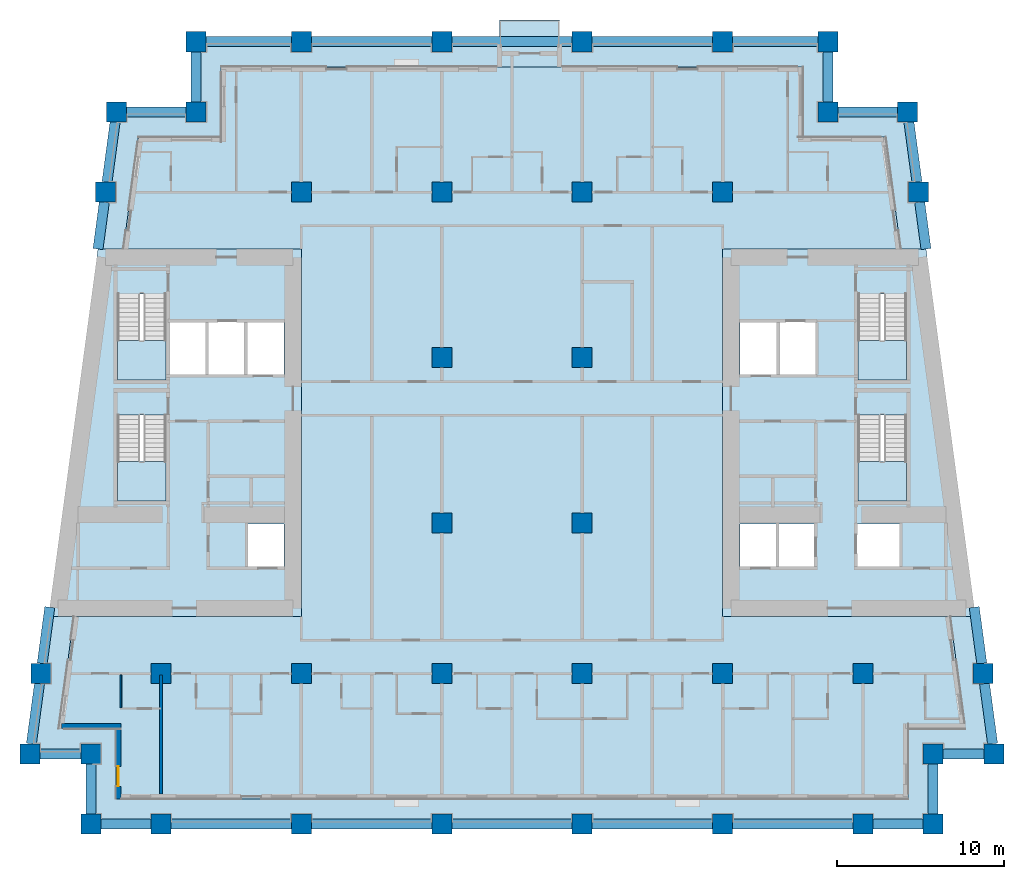
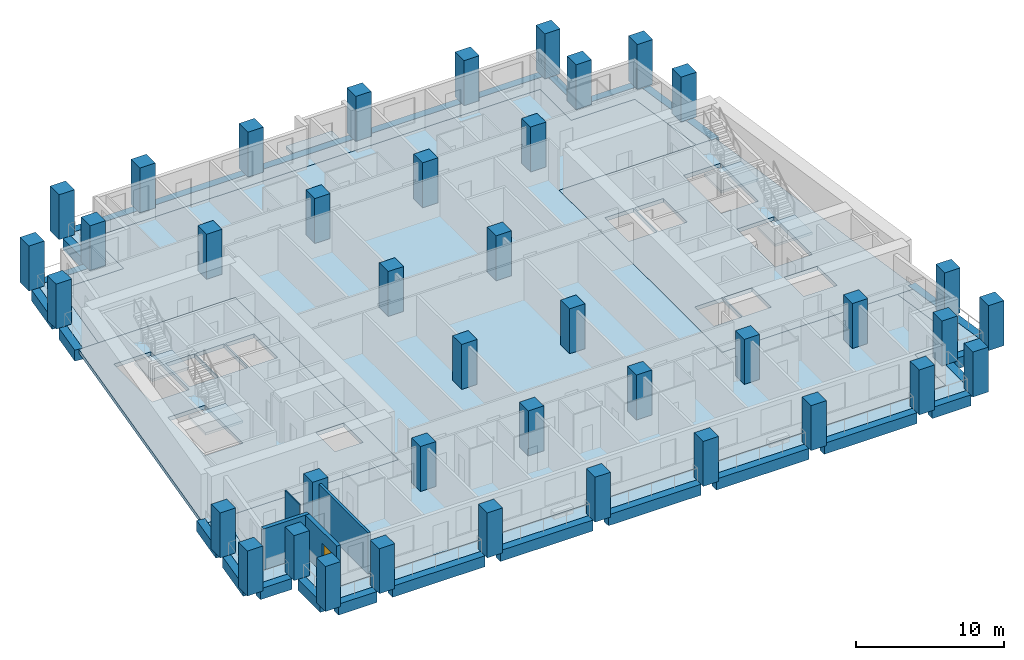
# One storey, part 1 of 14: 40 columns, 28 beams, 10 slabs, 4 walls, 1 door, 1 opening, 4 elements without a shape of their own.
"""IFC4 building model written with IfcOpenShell, lengths in metres."""

from ifc_helpers import new_model, si_unit, direction, frame, frame_2d, origin, origin_2d, place, context, subcontext, project, spatial, polyline, rectangle, outline, extrude, material, layer, layer_set, material_profile, profile_set, type_object, element, fill, aggregate, save


model = new_model("IFC4")

# Units and contexts
model_context = context("Model", 3, precision=1e-05, world=origin(), true_north=direction((0.0, 1.0)))
body_context = subcontext(model_context, "Body", "Model", "MODEL_VIEW")
ifc_project = project(units=[si_unit("LENGTHUNIT", "METRE"), si_unit("AREAUNIT", "SQUARE_METRE"), si_unit("VOLUMEUNIT", "CUBIC_METRE"), si_unit("PLANEANGLEUNIT", "RADIAN"), si_unit("MASSUNIT", "GRAM", prefix="KILO")], contexts=[model_context])

# Site, building, storey
site_placement = place(None, origin())
site = spatial("IfcSite", under=ifc_project, at=site_placement, CompositionType="ELEMENT")
building_placement = place(site_placement, origin())
building = spatial("IfcBuilding", under=site, at=building_placement, Name="Candeia Pilgrim Tower and Theatre", CompositionType="ELEMENT")
storey_placement = place(building_placement, frame((0.0, 0.0, 116.89990234375)))
storey = spatial("IfcBuildingStorey", under=building, at=storey_placement, Name="L27", CompositionType="ELEMENT", Elevation=116.89990234375)

# Columns
ifc_material_1 = material(Name="Concrete C70/85", Category="concrete")
ifc_material_profile_1 = material_profile(ifc_material_1, rectangle(XDim=1.199951171875, YDim=1.199951171875, at=origin_2d()))
ifc_profile_set_1 = profile_set([ifc_material_profile_1], Name="Concrete C70/85")
column_type = type_object("IfcColumnType", Name="RC 1200x1200 C70/85", PredefinedType="COLUMN", material=ifc_profile_set_1)
for number, where, z_axis, x_axis, name in (
    (1, (92.39990234375, 98.0, 0.0), (0.0, 0.0, 1.0), (1.0, 0.0, 0.0), "Column A1"),
    (2, (100.800048828125, 98.0, 0.0), (0.0, 0.0, 1.0), (1.0, 0.0, 0.0), "Column A2"),
    (3, (109.199951171875, 98.0, 0.0), (0.0, 0.0, 1.0), (1.0, 0.0, 0.0), "Column A3"),
    (4, (117.60009765625, 98.0, 0.0), (0.0, 0.0, 1.0), (1.0, 0.0, 0.0), "Column A4"),
    (5, (126.0, 98.0, 0.0), (0.0, 0.0, 1.0), (1.0, 0.0, 0.0), "Column A5"),
    (6, (134.39990234375, 98.0, 0.0), (0.0, 0.0, 1.0), (1.0, 0.0, 0.0), "Column A6"),
    (7, (88.199951171875, 98.0, 0.0), (0.0, 0.0, 1.0), (1.0, 0.0, 0.0), "Column AW"),
    (8, (138.60009765625, 98.0, 0.0), (0.0, 0.0, 1.0), (1.0, 0.0, 0.0), "Column AE"),
    (9, (88.199951171875, 102.199951171875, 0.0), (0.0, 0.0, 1.0), (1.0, 0.0, 0.0), "Column NSW"),
    (10, (138.60009765625, 102.199951171875, 0.0), (0.0, 0.0, 1.0), (1.0, 0.0, 0.0), "Column NSE"),
    (11, (94.5, 140.60009765625, 0.0), (0.0, 0.0, 1.0), (1.0, 0.0, 0.0), "Column NNW"),
    (12, (132.300048828125, 140.60009765625, 0.0), (0.0, 0.0, 1.0), (1.0, 0.0, 0.0), "Column NNE"),
    (13, (84.5654296875, 102.199951171875, 0.0), (0.0, 0.0, 1.0), (1.0, 0.0, 0.0), "Column LSW"),
    (14, (142.234619140625, 102.199951171875, 0.0), (0.0, 0.0, 1.0), (1.0, 0.0, 0.0), "Column LSE"),
    (15, (89.734619140625, 140.60009765625, 0.0), (0.0, 0.0, 1.0), (1.0, 0.0, 0.0), "Column LNW"),
    (16, (137.0654296875, 140.60009765625, 0.0), (0.0, 0.0, 1.0), (1.0, 0.0, 0.0), "Column LNE"),
    (17, (92.39990234375, 107.0, 0.0), (0.0, 0.0, 1.0), (1.0, 0.0, 0.0), "Column B1"),
    (18, (100.800048828125, 107.0, 0.0), (0.0, 0.0, 1.0), (1.0, 0.0, 0.0), "Column B2"),
    (19, (109.199951171875, 107.0, 0.0), (0.0, 0.0, 1.0), (1.0, 0.0, 0.0), "Column B3"),
    (20, (117.60009765625, 107.0, 0.0), (0.0, 0.0, 1.0), (1.0, 0.0, 0.0), "Column B4"),
    (21, (126.0, 107.0, 0.0), (0.0, 0.0, 1.0), (1.0, 0.0, 0.0), "Column B5"),
    (22, (134.39990234375, 107.0, 0.0), (0.0, 0.0, 1.0), (1.0, 0.0, 0.0), "Column B6"),
    (23, (85.21142578125, 107.0, 0.0), (0.0, 0.0, 1.0), (1.0, 0.0, 0.0), "Column BW"),
    (24, (141.58837890625, 107.0, 0.0), (0.0, 0.0, 1.0), (1.0, 0.0, 0.0), "Column BE"),
    (25, (109.199951171875, 116.0, 0.0), (0.0, 0.0, 1.0), (1.0, 0.0, 0.0), "Column C3"),
    (26, (117.60009765625, 116.0, 0.0), (0.0, 0.0, 1.0), (1.0, 0.0, 0.0), "Column C4"),
    (27, (109.199951171875, 125.89990234375, 0.0), (0.0, 0.0, 1.0), (1.0, 0.0, 0.0), "Column D3"),
    (28, (117.60009765625, 125.89990234375, 0.0), (0.0, 0.0, 1.0), (1.0, 0.0, 0.0), "Column D4"),
    (29, (100.800048828125, 135.800048828125, 0.0), (0.0, 0.0, 1.0), (1.0, 0.0, 0.0), "Column E2"),
    (30, (109.199951171875, 135.800048828125, 0.0), (0.0, 0.0, 1.0), (1.0, 0.0, 0.0), "Column E3"),
    (31, (117.60009765625, 135.800048828125, 0.0), (0.0, 0.0, 1.0), (1.0, 0.0, 0.0), "Column E4"),
    (32, (126.0, 135.800048828125, 0.0), (0.0, 0.0, 1.0), (1.0, 0.0, 0.0), "Column E5"),
    (33, (89.08837890625, 135.800048828125, 0.0), (0.0, 0.0, 1.0), (1.0, 0.0, 0.0), "Column EW"),
    (34, (137.71142578125, 135.800048828125, 0.0), (0.0, 0.0, 1.0), (1.0, 0.0, 0.0), "Column EE"),
    (35, (100.800048828125, 144.800048828125, 0.0), (0.0, 0.0, 1.0), (1.0, 0.0, 0.0), "Column F2"),
    (36, (109.199951171875, 144.800048828125, 0.0), (0.0, 0.0, 1.0), (1.0, 0.0, 0.0), "Column F3"),
    (37, (117.60009765625, 144.800048828125, 0.0), (0.0, 0.0, 1.0), (1.0, 0.0, 0.0), "Column F4"),
    (38, (126.0, 144.800048828125, 0.0), (0.0, 0.0, 1.0), (1.0, 0.0, 0.0), "Column F5"),
    (39, (94.5, 144.800048828125, 0.0), (0.0, 0.0, 1.0), (1.0, 0.0, 0.0), "Column FW"),
    (40, (132.300048828125, 144.800048828125, 0.0), (0.0, 0.0, 1.0), (1.0, 0.0, 0.0), "Column FE"),
):
    element("IfcColumn", number, at=place(storey_placement, frame(where, z_axis=z_axis, x_axis=x_axis)), inside=storey, type_object=column_type, Name=name, PredefinedType="COLUMN", context=body_context, shape_type="SweptSolid", body=[
        extrude(rectangle(XDim=1.199951171875, YDim=1.199951171875, at=origin_2d()), origin(), (0.0, 0.0, 1.0), 3.7001953125),
    ])

# Beams
ifc_material_profile_2 = material_profile(ifc_material_1, rectangle(XDim=0.60009765625, YDim=0.89990234375, at=origin_2d()))
ifc_profile_set_2 = profile_set([ifc_material_profile_2], Name="Concrete C70/85")
beam_type = type_object("IfcBeamType", Name="RC 600x900 C70/85", PredefinedType="BEAM", material=ifc_profile_set_2)
beam_1_placement = place(storey_placement, frame((88.800048828125, 98.0, -0.449951171875), z_axis=(1.0, 0.0, 0.0), x_axis=(0.0, 1.0, 0.0)))
element("IfcBeam", 41, at=beam_1_placement, inside=storey, type_object=beam_type, Name="Spandrel beam L27-01", PredefinedType="BEAM", context=body_context, shape_type="SweptSolid", body=[
    extrude(rectangle(XDim=0.60009765625, YDim=0.89990234375, at=origin_2d()), origin(), (0.0, 0.0, 1.0), 3.0),
])
beam_2_placement = place(storey_placement, frame((93.0, 98.0, -0.449951171875), z_axis=(1.0, 0.0, 0.0), x_axis=(0.0, 1.0, 0.0)))
element("IfcBeam", 42, at=beam_2_placement, inside=storey, type_object=beam_type, Name="Spandrel beam L27-02", PredefinedType="BEAM", context=body_context, shape_type="SweptSolid", body=[
    extrude(rectangle(XDim=0.60009765625, YDim=0.89990234375, at=origin_2d()), origin(), (0.0, 0.0, 1.0), 7.199951171875),
])
beam_3_placement = place(storey_placement, frame((101.39990234375, 98.0, -0.449951171875), z_axis=(1.0, 0.0, 0.0), x_axis=(0.0, 1.0, 0.0)))
element("IfcBeam", 43, at=beam_3_placement, inside=storey, type_object=beam_type, Name="Spandrel beam L27-03", PredefinedType="BEAM", context=body_context, shape_type="SweptSolid", body=[
    extrude(rectangle(XDim=0.60009765625, YDim=0.89990234375, at=origin_2d()), origin(), (0.0, 0.0, 1.0), 7.2001953125),
])
for number, where, z_axis, x_axis, name in (
    (44, (109.800048828125, 98.0, -0.449951171875), (1.0, 0.0, 0.0), (0.0, 1.0, 0.0), "Spandrel beam L27-04"),
    (45, (118.199951171875, 98.0, -0.449951171875), (1.0, 0.0, 0.0), (0.0, 1.0, 0.0), "Spandrel beam L27-05"),
    (46, (126.60009765625, 98.0, -0.449951171875), (1.0, 0.0, 0.0), (0.0, 1.0, 0.0), "Spandrel beam L27-06"),
):
    element("IfcBeam", number, at=place(storey_placement, frame(where, z_axis=z_axis, x_axis=x_axis)), inside=storey, type_object=beam_type, Name=name, PredefinedType="BEAM", context=body_context, shape_type="SweptSolid", body=[
        extrude(rectangle(XDim=0.60009765625, YDim=0.89990234375, at=origin_2d()), origin(), (0.0, 0.0, 1.0), 7.199951171875),
    ])
for number, where, z_axis, x_axis, name in (
    (47, (135.0, 98.0, -0.449951171875), (1.0, 0.0, 0.0), (0.0, 1.0, 0.0), "Spandrel beam L27-07"),
    (48, (138.60009765625, 98.60009765625, -0.449951171875), (0.0, 1.0, 0.0), (-1.0, 0.0, 0.0), "Spandrel beam L27-08"),
):
    element("IfcBeam", number, at=place(storey_placement, frame(where, z_axis=z_axis, x_axis=x_axis)), inside=storey, type_object=beam_type, Name=name, PredefinedType="BEAM", context=body_context, shape_type="SweptSolid", body=[
        extrude(rectangle(XDim=0.60009765625, YDim=0.89990234375, at=origin_2d()), origin(), (0.0, 0.0, 1.0), 3.0),
    ])
beam_4_placement = place(storey_placement, frame((139.199951171875, 102.199951171875, -0.449951171875), z_axis=(1.0, 0.0, 0.0), x_axis=(0.0, 1.0, 0.0)))
element("IfcBeam", 49, at=beam_4_placement, inside=storey, type_object=beam_type, Name="Spandrel beam L27-09", PredefinedType="BEAM", context=body_context, shape_type="SweptSolid", body=[
    extrude(rectangle(XDim=0.60009765625, YDim=0.89990234375, at=origin_2d()), origin(), (0.0, 0.0, 1.0), 2.4345703125),
])
beam_5_placement = place(storey_placement, frame((142.15380859375, 102.800048828125, -0.449951171875), z_axis=(-0.133418359924, 0.991059807093, 0.0), x_axis=(-0.991059807093, -0.133418359924, 0.0)))
element("IfcBeam", 50, at=beam_5_placement, inside=storey, type_object=beam_type, Name="Spandrel beam L27-10", PredefinedType="BEAM", context=body_context, shape_type="SweptSolid", body=[
    extrude(rectangle(XDim=0.60009765625, YDim=0.89990234375, at=origin_2d()), origin(), (0.0, 0.0, 1.0), 3.63232421875),
])
beam_6_placement = place(storey_placement, frame((141.5078125, 107.60009765625, -0.449951171875), z_axis=(-0.133458165992, 0.99105444751, 0.0), x_axis=(-0.99105444751, -0.133458165992, 0.0)))
element("IfcBeam", 51, at=beam_6_placement, inside=storey, type_object=beam_type, Name="Spandrel beam L27-11", PredefinedType="BEAM", context=body_context, shape_type="SweptSolid", body=[
    extrude(rectangle(XDim=0.60009765625, YDim=0.89990234375, at=origin_2d()), origin(), (0.0, 0.0, 1.0), 3.39697265625),
])
beam_7_placement = place(storey_placement, frame((138.169189453125, 132.39990234375, -0.449951171875), z_axis=(-0.133420173099, 0.991059562998, 0.0), x_axis=(-0.991059562998, -0.133420173099, 0.0)))
element("IfcBeam", 52, at=beam_7_placement, inside=storey, type_object=beam_type, Name="Spandrel beam L27-12", PredefinedType="BEAM", context=body_context, shape_type="SweptSolid", body=[
    extrude(rectangle(XDim=0.60009765625, YDim=0.89990234375, at=origin_2d()), origin(), (0.0, 0.0, 1.0), 2.8251953125),
])
beam_8_placement = place(storey_placement, frame((137.630859375, 136.39990234375, -0.449951171875), z_axis=(-0.133409473196, 0.991061003401, 0.0), x_axis=(-0.991061003401, -0.133409473196, 0.0)))
element("IfcBeam", 53, at=beam_8_placement, inside=storey, type_object=beam_type, Name="Spandrel beam L27-13", PredefinedType="BEAM", context=body_context, shape_type="SweptSolid", body=[
    extrude(rectangle(XDim=0.60009765625, YDim=0.89990234375, at=origin_2d()), origin(), (0.0, 0.0, 1.0), 3.632568359375),
])
beam_9_placement = place(storey_placement, frame((136.46533203125, 140.60009765625, -0.449951171875), z_axis=(-1.0, 0.0, 0.0), x_axis=(0.0, -1.0, 0.0)))
element("IfcBeam", 54, at=beam_9_placement, inside=storey, type_object=beam_type, Name="Spandrel beam L27-14", PredefinedType="BEAM", context=body_context, shape_type="SweptSolid", body=[
    extrude(rectangle(XDim=0.60009765625, YDim=0.89990234375, at=origin_2d()), origin(), (0.0, 0.0, 1.0), 3.5654296875),
])
beam_10_placement = place(storey_placement, frame((132.300048828125, 141.199951171875, -0.449951171875), z_axis=(0.0, 1.0, 0.0), x_axis=(-1.0, 0.0, 0.0)))
element("IfcBeam", 55, at=beam_10_placement, inside=storey, type_object=beam_type, Name="Spandrel beam L27-15", PredefinedType="BEAM", context=body_context, shape_type="SweptSolid", body=[
    extrude(rectangle(XDim=0.60009765625, YDim=0.89990234375, at=origin_2d()), origin(), (0.0, 0.0, 1.0), 3.0),
])
beam_11_placement = place(storey_placement, frame((131.699951171875, 144.800048828125, -0.449951171875), z_axis=(-1.0, 0.0, 0.0), x_axis=(0.0, -1.0, 0.0)))
element("IfcBeam", 56, at=beam_11_placement, inside=storey, type_object=beam_type, Name="Spandrel beam L27-16", PredefinedType="BEAM", context=body_context, shape_type="SweptSolid", body=[
    extrude(rectangle(XDim=0.60009765625, YDim=0.89990234375, at=origin_2d()), origin(), (0.0, 0.0, 1.0), 5.099853515625),
])
for number, where, z_axis, x_axis, name in (
    (57, (125.39990234375, 144.800048828125, -0.449951171875), (-1.0, 0.0, 0.0), (0.0, -1.0, 0.0), "Spandrel beam L27-17"),
    (58, (117.0, 144.800048828125, -0.449951171875), (-1.0, 0.0, 0.0), (0.0, -1.0, 0.0), "Spandrel beam L27-18"),
):
    element("IfcBeam", number, at=place(storey_placement, frame(where, z_axis=z_axis, x_axis=x_axis)), inside=storey, type_object=beam_type, Name=name, PredefinedType="BEAM", context=body_context, shape_type="SweptSolid", body=[
        extrude(rectangle(XDim=0.60009765625, YDim=0.89990234375, at=origin_2d()), origin(), (0.0, 0.0, 1.0), 7.199951171875),
    ])
beam_12_placement = place(storey_placement, frame((108.60009765625, 144.800048828125, -0.449951171875), z_axis=(-1.0, 0.0, 0.0), x_axis=(0.0, -1.0, 0.0)))
element("IfcBeam", 59, at=beam_12_placement, inside=storey, type_object=beam_type, Name="Spandrel beam L27-19", PredefinedType="BEAM", context=body_context, shape_type="SweptSolid", body=[
    extrude(rectangle(XDim=0.60009765625, YDim=0.89990234375, at=origin_2d()), origin(), (0.0, 0.0, 1.0), 7.2001953125),
])
beam_13_placement = place(storey_placement, frame((100.199951171875, 144.800048828125, -0.449951171875), z_axis=(-1.0, 0.0, 0.0), x_axis=(0.0, -1.0, 0.0)))
element("IfcBeam", 60, at=beam_13_placement, inside=storey, type_object=beam_type, Name="Spandrel beam L27-20", PredefinedType="BEAM", context=body_context, shape_type="SweptSolid", body=[
    extrude(rectangle(XDim=0.60009765625, YDim=0.89990234375, at=origin_2d()), origin(), (0.0, 0.0, 1.0), 5.099853515625),
])
beam_14_placement = place(storey_placement, frame((94.5, 144.199951171875, -0.449951171875), z_axis=(0.0, -1.0, 0.0), x_axis=(1.0, 0.0, 0.0)))
element("IfcBeam", 61, at=beam_14_placement, inside=storey, type_object=beam_type, Name="Spandrel beam L27-21", PredefinedType="BEAM", context=body_context, shape_type="SweptSolid", body=[
    extrude(rectangle(XDim=0.60009765625, YDim=0.89990234375, at=origin_2d()), origin(), (0.0, 0.0, 1.0), 3.0),
])
beam_15_placement = place(storey_placement, frame((93.89990234375, 140.60009765625, -0.449951171875), z_axis=(-1.0, 0.0, 0.0), x_axis=(0.0, -1.0, 0.0)))
element("IfcBeam", 62, at=beam_15_placement, inside=storey, type_object=beam_type, Name="Spandrel beam L27-22", PredefinedType="BEAM", context=body_context, shape_type="SweptSolid", body=[
    extrude(rectangle(XDim=0.60009765625, YDim=0.89990234375, at=origin_2d()), origin(), (0.0, 0.0, 1.0), 3.565185546875),
])
beam_16_placement = place(storey_placement, frame((89.65380859375, 140.0, -0.449951171875), z_axis=(-0.133409473196, -0.991061003401, 0.0), x_axis=(0.991061003401, -0.133409473196, 0.0)))
element("IfcBeam", 63, at=beam_16_placement, inside=storey, type_object=beam_type, Name="Spandrel beam L27-23", PredefinedType="BEAM", context=body_context, shape_type="SweptSolid", body=[
    extrude(rectangle(XDim=0.60009765625, YDim=0.89990234375, at=origin_2d()), origin(), (0.0, 0.0, 1.0), 3.632568359375),
])
beam_17_placement = place(storey_placement, frame((89.0078125, 135.199951171875, -0.449951171875), z_axis=(-0.133420173099, -0.991059562998, 0.0), x_axis=(0.991059562998, -0.133420173099, 0.0)))
element("IfcBeam", 64, at=beam_17_placement, inside=storey, type_object=beam_type, Name="Spandrel beam L27-24", PredefinedType="BEAM", context=body_context, shape_type="SweptSolid", body=[
    extrude(rectangle(XDim=0.60009765625, YDim=0.89990234375, at=origin_2d()), origin(), (0.0, 0.0, 1.0), 2.8251953125),
])
beam_18_placement = place(storey_placement, frame((85.74560546875, 110.966796875, -0.449951171875), z_axis=(-0.133458165992, -0.99105444751, 0.0), x_axis=(0.99105444751, -0.133458165992, 0.0)))
element("IfcBeam", 65, at=beam_18_placement, inside=storey, type_object=beam_type, Name="Spandrel beam L27-25", PredefinedType="BEAM", context=body_context, shape_type="SweptSolid", body=[
    extrude(rectangle(XDim=0.60009765625, YDim=0.89990234375, at=origin_2d()), origin(), (0.0, 0.0, 1.0), 3.39697265625),
])
beam_19_placement = place(storey_placement, frame((85.130859375, 106.39990234375, -0.449951171875), z_axis=(-0.133418359924, -0.991059807093, 0.0), x_axis=(0.991059807093, -0.133418359924, 0.0)))
element("IfcBeam", 66, at=beam_19_placement, inside=storey, type_object=beam_type, Name="Spandrel beam L27-26", PredefinedType="BEAM", context=body_context, shape_type="SweptSolid", body=[
    extrude(rectangle(XDim=0.60009765625, YDim=0.89990234375, at=origin_2d()), origin(), (0.0, 0.0, 1.0), 3.63232421875),
])
beam_20_placement = place(storey_placement, frame((85.165283203125, 102.199951171875, -0.449951171875), z_axis=(1.0, 0.0, 0.0), x_axis=(0.0, 1.0, 0.0)))
element("IfcBeam", 67, at=beam_20_placement, inside=storey, type_object=beam_type, Name="Spandrel beam L27-27", PredefinedType="BEAM", context=body_context, shape_type="SweptSolid", body=[
    extrude(rectangle(XDim=0.60009765625, YDim=0.89990234375, at=origin_2d()), origin(), (0.0, 0.0, 1.0), 2.434814453125),
])
beam_21_placement = place(storey_placement, frame((88.199951171875, 101.60009765625, -0.449951171875), z_axis=(0.0, -1.0, 0.0), x_axis=(1.0, 0.0, 0.0)))
element("IfcBeam", 68, at=beam_21_placement, inside=storey, type_object=beam_type, Name="Spandrel beam L27-28", PredefinedType="BEAM", context=body_context, shape_type="SweptSolid", body=[
    extrude(rectangle(XDim=0.60009765625, YDim=0.89990234375, at=origin_2d()), origin(), (0.0, 0.0, 1.0), 3.0),
])

# Slabs
ifc_material_2 = material(Name="Concrete C40/50", Category="concrete")
ifc_layer_1 = layer(ifc_material_2, 0.25)
ifc_layer_set_1 = layer_set([ifc_layer_1], Name="BK1 balcony slab 250")
slab_type_1 = type_object("IfcSlabType", Name="BK1 balcony slab 250", PredefinedType="USERDEFINED", material=ifc_layer_set_1)
slab_1_placement = place(storey_placement, frame((0.0, 0.0, -0.25)))
element("IfcSlab", 69, at=slab_1_placement, inside=storey, type_object=slab_type_1, Name="Balcony L27", ObjectType="BALCONY", PredefinedType="USERDEFINED", context=body_context, shape_type="SweptSolid", body=[
    extrude(outline(polyline([(112.64990234375, 144.5), (116.25, 144.5), (116.25, 146.10009765625), (112.64990234375, 146.10009765625), (112.64990234375, 144.5)])), origin(), (0.0, 0.0, 1.0), 0.25),
])
ifc_material_3 = material(Name="Concrete C60/75", Category="concrete")
ifc_layer_2 = layer(ifc_material_3, 0.320068359375)
ifc_layer_set_2 = layer_set([ifc_layer_2], Name="FS-CORE 320 core floor")
slab_type_2 = type_object("IfcSlabType", Name="FS-CORE 320 core floor", PredefinedType="FLOOR", material=ifc_layer_set_2)
slab_2_placement = place(storey_placement, frame((0.0, 0.0, -0.31982421875)))
element("IfcSlab", 70, at=slab_2_placement, inside=storey, type_object=slab_type_2, Name="Core floor W L27", PredefinedType="FLOOR", context=body_context, shape_type="SweptSolid", body=[
    extrude(outline(polyline([(100.800048828125, 132.39990234375), (100.800048828125, 110.39990234375), (85.669189453125, 110.39990234375), (88.630859375, 132.39990234375), (100.800048828125, 132.39990234375)]), holes=[polyline([(97.525634765625, 128.050048828125), (97.525634765625, 124.85009765625), (99.75, 124.85009765625), (99.75, 128.050048828125), (97.525634765625, 128.050048828125)]), polyline([(97.5634765625, 113.35009765625), (99.75, 113.35009765625), (99.75, 115.949951171875), (97.5634765625, 115.949951171875), (97.5634765625, 113.35009765625)]), polyline([(95.201416015625, 124.85009765625), (97.42578125, 124.85009765625), (97.42578125, 128.050048828125), (95.201416015625, 128.050048828125), (95.201416015625, 124.85009765625)]), polyline([(92.876953125, 128.050048828125), (92.876953125, 124.85009765625), (95.101318359375, 124.85009765625), (95.101318359375, 128.050048828125), (92.876953125, 128.050048828125)]), polyline([(89.802001953125, 122.455078125), (89.802001953125, 117.324951171875), (92.701904296875, 117.324951171875), (92.701904296875, 122.455078125), (89.802001953125, 122.455078125)]), polyline([(89.802001953125, 129.705078125), (89.802001953125, 124.574951171875), (92.701904296875, 124.574951171875), (92.701904296875, 129.705078125), (89.802001953125, 129.705078125)])]), origin(), (0.0, 0.0, 1.0), 0.31982421875),
])
slab_3_placement = place(storey_placement, frame((0.0, 0.0, -0.31982421875)))
element("IfcSlab", 71, at=slab_3_placement, inside=storey, type_object=slab_type_2, Name="Core floor E L27", PredefinedType="FLOOR", context=body_context, shape_type="SweptSolid", body=[
    extrude(outline(polyline([(138.169189453125, 132.39990234375), (141.130859375, 110.39990234375), (126.0, 110.39990234375), (126.0, 132.39990234375), (138.169189453125, 132.39990234375)]), holes=[polyline([(134.097900390625, 122.455078125), (134.097900390625, 117.324951171875), (136.998046875, 117.324951171875), (136.998046875, 122.455078125), (134.097900390625, 122.455078125)]), polyline([(134.097900390625, 129.705078125), (134.097900390625, 124.574951171875), (136.998046875, 124.574951171875), (136.998046875, 129.705078125), (134.097900390625, 129.705078125)]), polyline([(136.6220703125, 115.949951171875), (134.02294921875, 115.949951171875), (134.02294921875, 113.35009765625), (136.6220703125, 113.35009765625), (136.6220703125, 115.949951171875)]), polyline([(131.5986328125, 128.050048828125), (129.374267578125, 128.050048828125), (129.374267578125, 124.85009765625), (131.5986328125, 124.85009765625), (131.5986328125, 128.050048828125)]), polyline([(131.52294921875, 115.949951171875), (129.33642578125, 115.949951171875), (129.33642578125, 113.35009765625), (131.52294921875, 113.35009765625), (131.52294921875, 115.949951171875)]), polyline([(129.2744140625, 128.050048828125), (127.050048828125, 128.050048828125), (127.050048828125, 124.85009765625), (129.2744140625, 124.85009765625), (129.2744140625, 128.050048828125)]), polyline([(127.050048828125, 115.949951171875), (127.050048828125, 113.35009765625), (129.236572265625, 113.35009765625), (129.236572265625, 115.949951171875), (127.050048828125, 115.949951171875)])]), origin(), (0.0, 0.0, 1.0), 0.31982421875),
])
ifc_material_4 = material(Name="Concrete C50/60", Category="concrete")
ifc_layer_3 = layer(ifc_material_4, 0.320068359375)
ifc_layer_set_3 = layer_set([ifc_layer_3], Name="Floor slab 320 C50/60")
slab_type_3 = type_object("IfcSlabType", Name="Floor slab 320 C50/60", PredefinedType="FLOOR", material=ifc_layer_set_3)
slab_4_placement = place(storey_placement, frame((0.0, 0.0, -0.31982421875)))
element("IfcSlab", 72, at=slab_4_placement, inside=storey, type_object=slab_type_3, Name="Floor slab L27", PredefinedType="FLOOR", context=body_context, shape_type="SweptSolid", body=[
    extrude(outline(polyline([(96.0, 139.10009765625), (96.0, 143.300048828125), (130.800048828125, 143.300048828125), (130.800048828125, 139.10009765625), (135.753662109375, 139.10009765625), (136.65576171875, 132.39990234375), (126.0, 132.39990234375), (126.0, 110.39990234375), (139.6171875, 110.39990234375), (140.51904296875, 103.699951171875), (137.10009765625, 103.699951171875), (137.10009765625, 99.5), (89.699951171875, 99.5), (89.699951171875, 103.699951171875), (86.28076171875, 103.699951171875), (87.182861328125, 110.39990234375), (100.800048828125, 110.39990234375), (100.800048828125, 132.39990234375), (90.144287109375, 132.39990234375), (91.046142578125, 139.10009765625), (96.0, 139.10009765625)])), origin(), (0.0, 0.0, 1.0), 0.31982421875),
])
ifc_layer_4 = layer(ifc_material_2, 0.25)
ifc_layer_set_4 = layer_set([ifc_layer_4], Name="Loggia slab 250 C40/50")
slab_type_4 = type_object("IfcSlabType", Name="Loggia slab 250 C40/50", PredefinedType="FLOOR", material=ifc_layer_set_4)
slab_5_placement = place(storey_placement, frame((0.0, 0.0, -0.25)))
element("IfcSlab", 73, at=slab_5_placement, inside=storey, type_object=slab_type_4, Name="Loggia slab L27 1", PredefinedType="FLOOR", context=body_context, shape_type="SweptSolid", body=[
    extrude(outline(polyline([(87.182861328125, 110.39990234375), (86.28076171875, 103.699951171875), (89.699951171875, 103.699951171875), (89.699951171875, 99.5), (137.10009765625, 99.5), (137.10009765625, 103.699951171875), (140.51904296875, 103.699951171875), (139.6171875, 110.39990234375), (140.828125, 110.39990234375), (141.8916015625, 102.5), (138.300048828125, 102.5), (138.300048828125, 98.300048828125), (88.5, 98.300048828125), (88.5, 102.5), (84.908447265625, 102.5), (85.971923828125, 110.39990234375), (87.182861328125, 110.39990234375)])), origin(), (0.0, 0.0, 1.0), 0.25),
])
slab_6_placement = place(storey_placement, frame((0.0, 0.0, -0.25)))
element("IfcSlab", 74, at=slab_6_placement, inside=storey, type_object=slab_type_4, Name="Loggia slab L27 2", PredefinedType="FLOOR", context=body_context, shape_type="SweptSolid", body=[
    extrude(outline(polyline([(136.65576171875, 132.39990234375), (135.753662109375, 139.10009765625), (130.800048828125, 139.10009765625), (130.800048828125, 143.300048828125), (96.0, 143.300048828125), (96.0, 139.10009765625), (91.046142578125, 139.10009765625), (90.144287109375, 132.39990234375), (88.93359375, 132.39990234375), (89.996826171875, 140.300048828125), (94.800048828125, 140.300048828125), (94.800048828125, 144.5), (132.0, 144.5), (132.0, 140.300048828125), (136.802978515625, 140.300048828125), (137.866455078125, 132.39990234375), (136.65576171875, 132.39990234375)])), origin(), (0.0, 0.0, 1.0), 0.25),
])

# Stair, slab
stair_type = type_object("IfcStairType", Name="ST-TWR dog-leg escape stair", PredefinedType="HALF_TURN_STAIR", material=ifc_material_2)
stair_1_placement = place(storey_placement, origin())
stair_1 = element("IfcStair", 75, at=stair_1_placement, inside=storey, type_object=stair_type, Name="L27 Escape stair ST1", PredefinedType="HALF_TURN_STAIR")
ifc_layer_5 = layer(ifc_material_2, 0.199951171875)
ifc_layer_set_5 = layer_set([ifc_layer_5], Name="SL-LANDING stair landing")
slab_type_5 = type_object("IfcSlabType", Name="SL-LANDING stair landing", PredefinedType="LANDING", material=ifc_layer_set_5)
slab_7_placement = place(storey_placement, frame((0.0, 0.0, 1.650146484375)))
slab_7 = element("IfcSlab", 76, at=slab_7_placement, type_object=slab_type_5, Name="ST1 landing 1", PredefinedType="LANDING", context=body_context, shape_type="SweptSolid", body=[
    extrude(outline(polyline([(89.802001953125, 119.675048828125), (89.802001953125, 117.324951171875), (92.701904296875, 117.324951171875), (92.701904296875, 119.675048828125), (89.802001953125, 119.675048828125)])), origin(), (0.0, 0.0, 1.0), 0.199951171875),
])
aggregate(stair_1, [slab_7])

stair_2_placement = place(storey_placement, origin())
stair_2 = element("IfcStair", 77, at=stair_2_placement, inside=storey, type_object=stair_type, Name="L27 Escape stair ST2", PredefinedType="HALF_TURN_STAIR")
slab_8_placement = place(storey_placement, frame((0.0, 0.0, 1.650146484375)))
slab_8 = element("IfcSlab", 78, at=slab_8_placement, type_object=slab_type_5, Name="ST2 landing 1", PredefinedType="LANDING", context=body_context, shape_type="SweptSolid", body=[
    extrude(outline(polyline([(89.802001953125, 126.925048828125), (89.802001953125, 124.574951171875), (92.701904296875, 124.574951171875), (92.701904296875, 126.925048828125), (89.802001953125, 126.925048828125)])), origin(), (0.0, 0.0, 1.0), 0.199951171875),
])
aggregate(stair_2, [slab_8])

stair_3_placement = place(storey_placement, origin())
stair_3 = element("IfcStair", 79, at=stair_3_placement, inside=storey, type_object=stair_type, Name="L27 Escape stair ST3", PredefinedType="HALF_TURN_STAIR")
slab_9_placement = place(storey_placement, frame((0.0, 0.0, 1.650146484375)))
slab_9 = element("IfcSlab", 80, at=slab_9_placement, type_object=slab_type_5, Name="ST3 landing 1", PredefinedType="LANDING", context=body_context, shape_type="SweptSolid", body=[
    extrude(outline(polyline([(134.097900390625, 119.675048828125), (134.097900390625, 117.324951171875), (136.998046875, 117.324951171875), (136.998046875, 119.675048828125), (134.097900390625, 119.675048828125)])), origin(), (0.0, 0.0, 1.0), 0.199951171875),
])
aggregate(stair_3, [slab_9])

stair_4_placement = place(storey_placement, origin())
stair_4 = element("IfcStair", 81, at=stair_4_placement, inside=storey, type_object=stair_type, Name="L27 Escape stair ST4", PredefinedType="HALF_TURN_STAIR")
slab_10_placement = place(storey_placement, frame((0.0, 0.0, 1.650146484375)))
slab_10 = element("IfcSlab", 82, at=slab_10_placement, type_object=slab_type_5, Name="ST4 landing 1", PredefinedType="LANDING", context=body_context, shape_type="SweptSolid", body=[
    extrude(outline(polyline([(134.097900390625, 126.925048828125), (134.097900390625, 124.574951171875), (136.998046875, 124.574951171875), (136.998046875, 126.925048828125), (134.097900390625, 126.925048828125)])), origin(), (0.0, 0.0, 1.0), 0.199951171875),
])
aggregate(stair_4, [slab_10])

# Wall
ifc_material_5 = material(Name="Ceramic block masonry", Category="masonry")
ifc_layer_6 = layer(ifc_material_5, 0.300048828125)
ifc_layer_set_6 = layer_set([ifc_layer_6], Name="EW1 glazing-line wall 300")
wall_type_1 = type_object("IfcWallType", Name="EW1 glazing-line wall 300", PredefinedType="SOLIDWALL", material=ifc_layer_set_6)
wall_1_placement = place(storey_placement, frame((86.452392578125, 103.85009765625, 0.0), z_axis=(0.0, 0.0, 1.0), x_axis=(1.0, 0.0, 0.0)))
element("IfcWall", 83, at=wall_1_placement, inside=storey, type_object=wall_type_1, Name="External wall L27-10.0", PredefinedType="SOLIDWALL", context=body_context, shape_type="SweptSolid", body=[
    extrude(rectangle(XDim=3.547607421875, YDim=0.300048828125, at=frame_2d((1.77392578125, 0.0))), origin(), (0.0, 0.0, 1.0), 3.380126953125),
])

# Wall, opening, door
wall_2_placement = place(storey_placement, frame((89.85009765625, 103.85009765625, 0.0), z_axis=(0.0, 0.0, 1.0), x_axis=(0.0, -1.0, 0.0)))
wall_2 = element("IfcWall", 84, at=wall_2_placement, inside=storey, type_object=wall_type_1, Name="External wall L27-11.0", PredefinedType="SOLIDWALL", context=body_context, shape_type="SweptSolid", body=[
    extrude(rectangle(XDim=4.35009765625, YDim=0.300048828125, at=frame_2d((2.175048828125, 0.0))), origin(), (0.0, 0.0, 1.0), 3.380126953125),
])
opening_placement = place(wall_2_placement, frame((2.39990234375, 0.0, 0.0)))
opening = element("IfcOpeningElement", 85, at=opening_placement, cuts=wall_2, Name="Opening L27-ED280", PredefinedType="OPENING", context=body_context, shape_type="SweptSolid", body=[
    extrude(rectangle(XDim=1.199951171875, YDim=2.39990234375, at=frame_2d((0.60009765625, 1.199951171875))), frame((0.0, 0.16015625, 0.0), z_axis=(0.0, -1.0, 0.0), x_axis=(1.0, 0.0, 0.0)), (0.0, 0.0, 1.0), 0.320068359375),
])
ifc_material_6 = material(Name="Aluminium framed glazed door", Category="aluminium")
door_type = type_object("IfcDoorType", Name="Loggia door 1200x2400", OperationType="DOUBLE_DOOR_SINGLE_SWING", PredefinedType="DOOR", material=ifc_material_6)
door_placement = place(opening_placement, origin())
door = element("IfcDoor", 86, at=door_placement, inside=storey, type_object=door_type, Name="Loggia door L27-ED280", OperationType="DOUBLE_DOOR_SINGLE_SWING", OverallHeight=2.39990234375, OverallWidth=1.199951171875, PredefinedType="DOOR", context=body_context, shape_type="SweptSolid", body=[
    extrude(rectangle(XDim=1.199951171875, YDim=2.39990234375, at=frame_2d((0.60009765625, 1.199951171875))), frame((0.0, 0.02490234375, 0.0), z_axis=(0.0, -1.0, 0.0), x_axis=(1.0, 0.0, 0.0)), (0.0, 0.0, 1.0), 0.050048828125),
])
fill(opening, door)

# Walls
ifc_material_7 = material(Name="Gypsum board partition on steel studs", Category="steel")
ifc_layer_7 = layer(ifc_material_7, 0.10009765625)
ifc_layer_set_7 = layer_set([ifc_layer_7], Name="PW-100 room partition")
wall_type_2 = type_object("IfcWallType", Name="PW-100 room partition", PredefinedType="PARTITIONING", material=ifc_layer_set_7)
wall_3_placement = place(storey_placement, frame((90.0, 104.949951171875, 0.0), z_axis=(0.0, 0.0, 1.0), x_axis=(0.0, 1.0, 0.0)))
element("IfcWall", 87, at=wall_3_placement, inside=storey, type_object=wall_type_2, Name="Room partition L27-058", PredefinedType="PARTITIONING", context=body_context, shape_type="SweptSolid", body=[
    extrude(rectangle(XDim=1.97509765625, YDim=0.10009765625, at=frame_2d((0.987548828125, 0.0))), origin(), (0.0, 0.0, 1.0), 3.380126953125),
])
ifc_layer_8 = layer(ifc_material_7, 0.199951171875)
ifc_layer_set_8 = layer_set([ifc_layer_8], Name="PW-200 party wall")
wall_type_3 = type_object("IfcWallType", Name="PW-200 party wall", PredefinedType="PARTITIONING", material=ifc_layer_set_8)
wall_4_placement = place(storey_placement, frame((92.39990234375, 99.7900390625, 0.0), z_axis=(0.0, 0.0, 1.0), x_axis=(0.0, 1.0, 0.0)))
element("IfcWall", 88, at=wall_4_placement, inside=storey, type_object=wall_type_3, Name="Party wall L27-059", PredefinedType="PARTITIONING", context=body_context, shape_type="SweptSolid", body=[
    extrude(rectangle(XDim=7.135009765625, YDim=0.199951171875, at=frame_2d((3.5673828125, 0.0))), origin(), (0.0, 0.0, 1.0), 3.380126953125),
])

save(model, "model.ifc")
